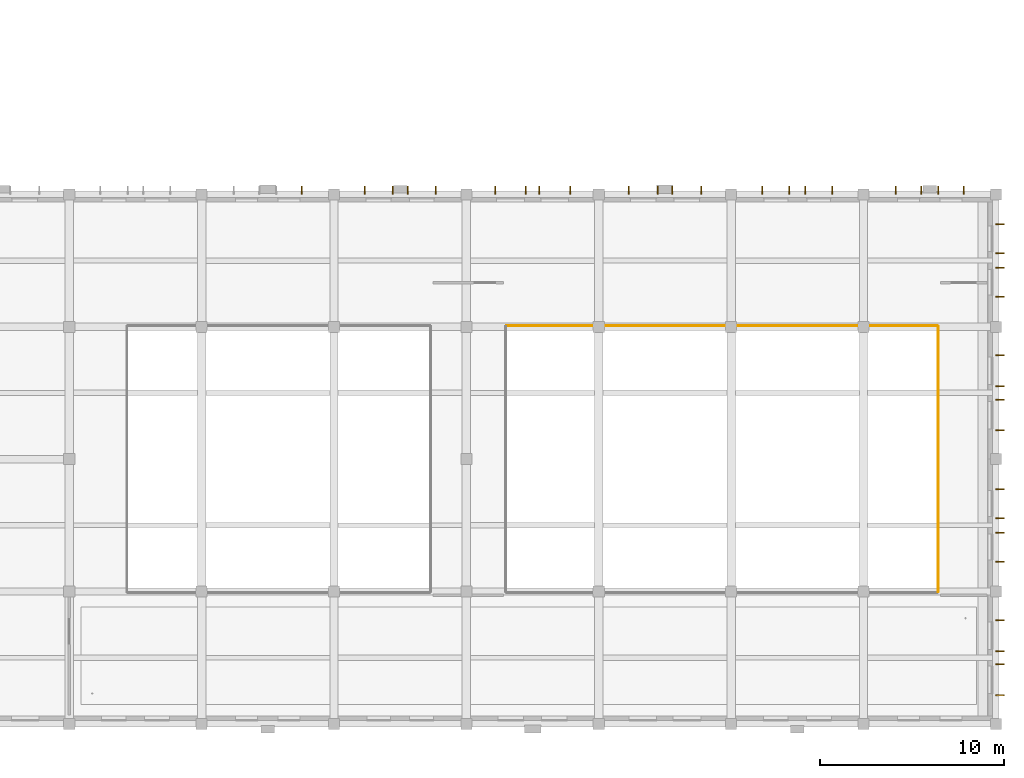
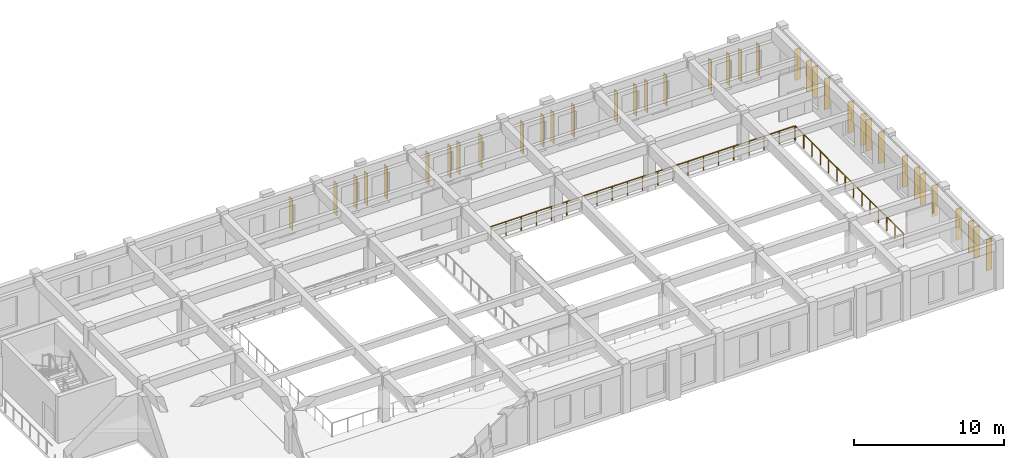
# One storey, part 79 of 88: 37 coverings, 2 railings.
"""IFC4 building model written with IfcOpenShell, lengths in metres."""

from ifc_helpers import new_model, si_unit, direction, frame, origin, origin_2d, place, context, subcontext, project, spatial, polyline, circle, outline, extrude, material, layer, layer_set, type_object, element, save


model = new_model("IFC4")

# Units and contexts
model_context = context("Model", 3, precision=1e-05, world=origin(), true_north=direction((0.0, 1.0)))
body_context = subcontext(model_context, "Body", "Model", "MODEL_VIEW")
ifc_project = project(units=[si_unit("LENGTHUNIT", "METRE"), si_unit("AREAUNIT", "SQUARE_METRE"), si_unit("VOLUMEUNIT", "CUBIC_METRE"), si_unit("PLANEANGLEUNIT", "RADIAN"), si_unit("MASSUNIT", "GRAM", prefix="KILO")], contexts=[model_context])

# Site, building, storey
site_placement = place(None, origin())
site = spatial("IfcSite", under=ifc_project, at=site_placement, CompositionType="ELEMENT")
building_placement = place(site_placement, origin())
building = spatial("IfcBuilding", under=site, at=building_placement, Name="Alvorim Cloister Faculty of Sciences", CompositionType="ELEMENT")
storey_placement = place(building_placement, frame((0.0, 0.0, 4.5)))
storey = spatial("IfcBuildingStorey", under=building, at=storey_placement, Name="L01", CompositionType="ELEMENT", Elevation=4.5)

# Coverings
ifc_material_1 = material(Name="Anodised Aluminium Alloy 6063-T6", Category="aluminium")
ifc_layer = layer(ifc_material_1, 0.054931640625)
ifc_layer_set = layer_set([ifc_layer], Name="Anodised Aluminium Alloy 6063-T6")
covering_type = type_object("IfcCoveringType", Name="COV-SHD-FIN", PredefinedType="CLADDING", material=ifc_layer_set)
covering_placement = place(storey_placement, frame((127.840087890625, 28.800048828125, 0.389892578125), z_axis=(0.0, 0.0, 1.0), x_axis=(0.0, 1.0, 0.0)))
element("IfcCovering", 1, at=covering_placement, inside=storey, type_object=covering_type, Name="L01 Brise-Soleil Vertical Fin COV-FIN-00589", PredefinedType="CLADDING", context=body_context, shape_type="SweptSolid", body=[
    extrude(outline(polyline([(0.0, 0.0), (0.43994140625, 0.0), (0.43994140625, 2.510009765625), (0.0, 2.510009765625), (0.0, 0.0)])), frame((0.0, 0.02734375, 0.0), z_axis=(0.0, -1.0, 0.0), x_axis=(1.0, 0.0, 0.0)), (0.0, 0.0, 1.0), 0.054931640625),
])
for number, where, z_axis, x_axis, name in (
    (2, (131.260009765625, 28.800048828125, 0.389892578125), (0.0, 0.0, 1.0), (0.0, 1.0, 0.0), "L01 Brise-Soleil Vertical Fin COV-FIN-00590"),
    (3, (132.7900390625, 28.800048828125, 0.389892578125), (0.0, 0.0, 1.0), (0.0, 1.0, 0.0), "L01 Brise-Soleil Vertical Fin COV-FIN-00591"),
    (4, (133.610107421875, 28.800048828125, 0.389892578125), (0.0, 0.0, 1.0), (0.0, 1.0, 0.0), "L01 Brise-Soleil Vertical Fin COV-FIN-00592"),
    (5, (135.139892578125, 28.800048828125, 0.389892578125), (0.0, 0.0, 1.0), (0.0, 1.0, 0.0), "L01 Brise-Soleil Vertical Fin COV-FIN-00593"),
):
    element("IfcCovering", number, at=place(storey_placement, frame(where, z_axis=z_axis, x_axis=x_axis)), inside=storey, type_object=covering_type, Name=name, PredefinedType="CLADDING", context=body_context, shape_type="SweptSolid", body=[
        extrude(outline(polyline([(0.0, 0.0), (0.43994140625, 0.0), (0.43994140625, 2.610107421875), (0.0, 2.610107421875), (0.0, 0.0)])), frame((0.0, 0.02734375, 0.0), z_axis=(0.0, -1.0, 0.0), x_axis=(1.0, 0.0, 0.0)), (0.0, 0.0, 1.0), 0.054931640625),
    ])
for number, where, z_axis, x_axis, name in (
    (6, (138.360107421875, 28.800048828125, 0.389892578125), (0.0, 0.0, 1.0), (0.0, 1.0, 0.0), "L01 Brise-Soleil Vertical Fin COV-FIN-00594"),
    (7, (140.0400390625, 28.800048828125, 0.389892578125), (0.0, 0.0, 1.0), (0.0, 1.0, 0.0), "L01 Brise-Soleil Vertical Fin COV-FIN-00595"),
    (8, (140.760009765625, 28.800048828125, 0.389892578125), (0.0, 0.0, 1.0), (0.0, 1.0, 0.0), "L01 Brise-Soleil Vertical Fin COV-FIN-00596"),
    (9, (142.43994140625, 28.800048828125, 0.389892578125), (0.0, 0.0, 1.0), (0.0, 1.0, 0.0), "L01 Brise-Soleil Vertical Fin COV-FIN-00597"),
):
    element("IfcCovering", number, at=place(storey_placement, frame(where, z_axis=z_axis, x_axis=x_axis)), inside=storey, type_object=covering_type, Name=name, PredefinedType="CLADDING", context=body_context, shape_type="SweptSolid", body=[
        extrude(outline(polyline([(0.0, 0.0), (0.43994140625, 0.0), (0.43994140625, 2.56005859375), (0.0, 2.56005859375), (0.0, 0.0)])), frame((0.0, 0.02734375, 0.0), z_axis=(0.0, -1.0, 0.0), x_axis=(1.0, 0.0, 0.0)), (0.0, 0.0, 1.0), 0.054931640625),
    ])
for number, where, z_axis, x_axis, name in (
    (10, (145.626708984375, 28.800048828125, 0.389892578125), (0.0, 0.0, 1.0), (0.0, 1.0, 0.0), "L01 Brise-Soleil Vertical Fin COV-FIN-00598"),
    (11, (147.206787109375, 28.800048828125, 0.389892578125), (0.0, 0.0, 1.0), (0.0, 1.0, 0.0), "L01 Brise-Soleil Vertical Fin COV-FIN-00599"),
    (12, (147.993408203125, 28.800048828125, 0.389892578125), (0.0, 0.0, 1.0), (0.0, 1.0, 0.0), "L01 Brise-Soleil Vertical Fin COV-FIN-00600"),
    (13, (149.5732421875, 28.800048828125, 0.389892578125), (0.0, 0.0, 1.0), (0.0, 1.0, 0.0), "L01 Brise-Soleil Vertical Fin COV-FIN-00601"),
):
    element("IfcCovering", number, at=place(storey_placement, frame(where, z_axis=z_axis, x_axis=x_axis)), inside=storey, type_object=covering_type, Name=name, PredefinedType="CLADDING", context=body_context, shape_type="SweptSolid", body=[
        extrude(outline(polyline([(0.0, 0.0), (0.43994140625, 0.0), (0.43994140625, 2.5400390625), (0.0, 2.5400390625), (0.0, 0.0)])), frame((0.0, 0.02734375, 0.0), z_axis=(0.0, -1.0, 0.0), x_axis=(1.0, 0.0, 0.0)), (0.0, 0.0, 1.0), 0.054931640625),
    ])
for number, where, z_axis, x_axis, name in (
    (14, (152.893310546875, 28.800048828125, 0.389892578125), (0.0, 0.0, 1.0), (0.0, 1.0, 0.0), "L01 Brise-Soleil Vertical Fin COV-FIN-00602"),
    (15, (154.373291015625, 28.800048828125, 0.389892578125), (0.0, 0.0, 1.0), (0.0, 1.0, 0.0), "L01 Brise-Soleil Vertical Fin COV-FIN-00603"),
    (16, (155.226806640625, 28.800048828125, 0.389892578125), (0.0, 0.0, 1.0), (0.0, 1.0, 0.0), "L01 Brise-Soleil Vertical Fin COV-FIN-00604"),
    (17, (156.706787109375, 28.800048828125, 0.389892578125), (0.0, 0.0, 1.0), (0.0, 1.0, 0.0), "L01 Brise-Soleil Vertical Fin COV-FIN-00605"),
    (18, (160.159912109375, 28.800048828125, 0.389892578125), (0.0, 0.0, 1.0), (0.0, 1.0, 0.0), "L01 Brise-Soleil Vertical Fin COV-FIN-00606"),
    (19, (161.5400390625, 28.800048828125, 0.389892578125), (0.0, 0.0, 1.0), (0.0, 1.0, 0.0), "L01 Brise-Soleil Vertical Fin COV-FIN-00607"),
    (20, (162.4599609375, 28.800048828125, 0.389892578125), (0.0, 0.0, 1.0), (0.0, 1.0, 0.0), "L01 Brise-Soleil Vertical Fin COV-FIN-00608"),
    (21, (163.840087890625, 28.800048828125, 0.389892578125), (0.0, 0.0, 1.0), (0.0, 1.0, 0.0), "L01 Brise-Soleil Vertical Fin COV-FIN-00609"),
):
    element("IfcCovering", number, at=place(storey_placement, frame(where, z_axis=z_axis, x_axis=x_axis)), inside=storey, type_object=covering_type, Name=name, PredefinedType="CLADDING", context=body_context, shape_type="SweptSolid", body=[
        extrude(outline(polyline([(0.0, 0.0), (0.43994140625, 0.0), (0.43994140625, 2.510009765625), (0.0, 2.510009765625), (0.0, 0.0)])), frame((0.0, 0.02734375, 0.0), z_axis=(0.0, -1.0, 0.0), x_axis=(1.0, 0.0, 0.0)), (0.0, 0.0, 1.0), 0.054931640625),
    ])
for number, where, z_axis, x_axis, name in (
    (22, (165.60009765625, 23.226806640625, 0.389892578125), (0.0, 0.0, 1.0), (1.0, 0.0, 0.0), "L01 Brise-Soleil Vertical Fin COV-FIN-00610"),
    (23, (165.60009765625, 24.806640625, 0.389892578125), (0.0, 0.0, 1.0), (1.0, 0.0, 0.0), "L01 Brise-Soleil Vertical Fin COV-FIN-00611"),
    (24, (165.60009765625, 25.59326171875, 0.389892578125), (0.0, 0.0, 1.0), (1.0, 0.0, 0.0), "L01 Brise-Soleil Vertical Fin COV-FIN-00612"),
    (25, (165.60009765625, 27.17333984375, 0.389892578125), (0.0, 0.0, 1.0), (1.0, 0.0, 0.0), "L01 Brise-Soleil Vertical Fin COV-FIN-00613"),
):
    element("IfcCovering", number, at=place(storey_placement, frame(where, z_axis=z_axis, x_axis=x_axis)), inside=storey, type_object=covering_type, Name=name, PredefinedType="CLADDING", context=body_context, shape_type="SweptSolid", body=[
        extrude(outline(polyline([(0.0, 0.0), (0.43994140625, 0.0), (0.43994140625, 2.5400390625), (0.0, 2.5400390625), (0.0, 0.0)])), frame((0.0, 0.02734375, 0.0), z_axis=(0.0, -1.0, 0.0), x_axis=(1.0, 0.0, 0.0)), (0.0, 0.0, 1.0), 0.054931640625),
    ])
for number, where, z_axis, x_axis, name in (
    (26, (165.60009765625, 15.9599609375, 0.389892578125), (0.0, 0.0, 1.0), (1.0, 0.0, 0.0), "L01 Brise-Soleil Vertical Fin COV-FIN-00614"),
    (27, (165.60009765625, 17.639892578125, 0.389892578125), (0.0, 0.0, 1.0), (1.0, 0.0, 0.0), "L01 Brise-Soleil Vertical Fin COV-FIN-00615"),
    (28, (165.60009765625, 18.360107421875, 0.389892578125), (0.0, 0.0, 1.0), (1.0, 0.0, 0.0), "L01 Brise-Soleil Vertical Fin COV-FIN-00616"),
    (29, (165.60009765625, 20.0400390625, 0.389892578125), (0.0, 0.0, 1.0), (1.0, 0.0, 0.0), "L01 Brise-Soleil Vertical Fin COV-FIN-00617"),
):
    element("IfcCovering", number, at=place(storey_placement, frame(where, z_axis=z_axis, x_axis=x_axis)), inside=storey, type_object=covering_type, Name=name, PredefinedType="CLADDING", context=body_context, shape_type="SweptSolid", body=[
        extrude(outline(polyline([(0.0, 0.0), (0.43994140625, 0.0), (0.43994140625, 2.56005859375), (0.0, 2.56005859375), (0.0, 0.0)])), frame((0.0, 0.02734375, 0.0), z_axis=(0.0, -1.0, 0.0), x_axis=(1.0, 0.0, 0.0)), (0.0, 0.0, 1.0), 0.054931640625),
    ])
for number, where, z_axis, x_axis, name in (
    (30, (165.60009765625, 8.82666015625, 0.389892578125), (0.0, 0.0, 1.0), (1.0, 0.0, 0.0), "L01 Brise-Soleil Vertical Fin COV-FIN-00618"),
    (31, (165.60009765625, 10.40673828125, 0.389892578125), (0.0, 0.0, 1.0), (1.0, 0.0, 0.0), "L01 Brise-Soleil Vertical Fin COV-FIN-00619"),
    (32, (165.60009765625, 11.193359375, 0.389892578125), (0.0, 0.0, 1.0), (1.0, 0.0, 0.0), "L01 Brise-Soleil Vertical Fin COV-FIN-00620"),
    (33, (165.60009765625, 12.773193359375, 0.389892578125), (0.0, 0.0, 1.0), (1.0, 0.0, 0.0), "L01 Brise-Soleil Vertical Fin COV-FIN-00621"),
):
    element("IfcCovering", number, at=place(storey_placement, frame(where, z_axis=z_axis, x_axis=x_axis)), inside=storey, type_object=covering_type, Name=name, PredefinedType="CLADDING", context=body_context, shape_type="SweptSolid", body=[
        extrude(outline(polyline([(0.0, 0.0), (0.43994140625, 0.0), (0.43994140625, 2.5400390625), (0.0, 2.5400390625), (0.0, 0.0)])), frame((0.0, 0.02734375, 0.0), z_axis=(0.0, -1.0, 0.0), x_axis=(1.0, 0.0, 0.0)), (0.0, 0.0, 1.0), 0.054931640625),
    ])
for number, where, z_axis, x_axis, name in (
    (34, (165.60009765625, 1.56005859375, 0.389892578125), (0.0, 0.0, 1.0), (1.0, 0.0, 0.0), "L01 Brise-Soleil Vertical Fin COV-FIN-00622"),
    (35, (165.60009765625, 3.239990234375, 0.389892578125), (0.0, 0.0, 1.0), (1.0, 0.0, 0.0), "L01 Brise-Soleil Vertical Fin COV-FIN-00623"),
    (36, (165.60009765625, 3.9599609375, 0.389892578125), (0.0, 0.0, 1.0), (1.0, 0.0, 0.0), "L01 Brise-Soleil Vertical Fin COV-FIN-00624"),
    (37, (165.60009765625, 5.639892578125, 0.389892578125), (0.0, 0.0, 1.0), (1.0, 0.0, 0.0), "L01 Brise-Soleil Vertical Fin COV-FIN-00625"),
):
    element("IfcCovering", number, at=place(storey_placement, frame(where, z_axis=z_axis, x_axis=x_axis)), inside=storey, type_object=covering_type, Name=name, PredefinedType="CLADDING", context=body_context, shape_type="SweptSolid", body=[
        extrude(outline(polyline([(0.0, 0.0), (0.43994140625, 0.0), (0.43994140625, 2.56005859375), (0.0, 2.56005859375), (0.0, 0.0)])), frame((0.0, 0.02734375, 0.0), z_axis=(0.0, -1.0, 0.0), x_axis=(1.0, 0.0, 0.0)), (0.0, 0.0, 1.0), 0.054931640625),
    ])

# Railings
ifc_material_2 = material(Name="Laminated Safety Glass and Bronze", Category="glass")
railing_type = type_object("IfcRailingType", Name="RL-ATR-BAL-1150", PredefinedType="BALUSTRADE", material=ifc_material_2)
railing_1_placement = place(storey_placement, frame((162.4599609375, 7.18994140625, 0.0)))
element("IfcRailing", 38, at=railing_1_placement, inside=storey, type_object=railing_type, Name="L01 Auditorium Gallery Balustrade 2.2", PredefinedType="BALUSTRADE", context=body_context, shape_type="SweptSolid", body=[
    extrude(circle(Radius=0.02392578125, at=origin_2d()), frame((0.0, 0.0, 1.1259765625), z_axis=(0.0, 1.0, 0.0), x_axis=(-1.0, 0.0, 0.0)), (0.0, 0.0, 1.0), 14.420166015625),
    extrude(circle(Radius=0.02099609375, at=origin_2d()), origin(), (0.0, 0.0, 1.0), 1.101806640625),
    extrude(circle(Radius=0.02099609375, at=origin_2d()), frame((0.0, 1.109130859375, 0.0)), (0.0, 0.0, 1.0), 1.101806640625),
    extrude(circle(Radius=0.02099609375, at=origin_2d()), frame((0.0, 2.218505859375, 0.0)), (0.0, 0.0, 1.0), 1.101806640625),
    extrude(circle(Radius=0.02099609375, at=origin_2d()), frame((0.0, 3.32763671875, 0.0)), (0.0, 0.0, 1.0), 1.101806640625),
    extrude(circle(Radius=0.02099609375, at=origin_2d()), frame((0.0, 4.43701171875, 0.0)), (0.0, 0.0, 1.0), 1.101806640625),
    extrude(circle(Radius=0.02099609375, at=origin_2d()), frame((0.0, 5.546142578125, 0.0)), (0.0, 0.0, 1.0), 1.101806640625),
    extrude(circle(Radius=0.02099609375, at=origin_2d()), frame((0.0, 6.655517578125, 0.0)), (0.0, 0.0, 1.0), 1.101806640625),
    extrude(circle(Radius=0.02099609375, at=origin_2d()), frame((0.0, 7.7646484375, 0.0)), (0.0, 0.0, 1.0), 1.101806640625),
    extrude(circle(Radius=0.02099609375, at=origin_2d()), frame((0.0, 8.8740234375, 0.0)), (0.0, 0.0, 1.0), 1.101806640625),
    extrude(circle(Radius=0.02099609375, at=origin_2d()), frame((0.0, 9.983154296875, 0.0)), (0.0, 0.0, 1.0), 1.101806640625),
    extrude(circle(Radius=0.02099609375, at=origin_2d()), frame((0.0, 11.092529296875, 0.0)), (0.0, 0.0, 1.0), 1.101806640625),
    extrude(circle(Radius=0.02099609375, at=origin_2d()), frame((0.0, 12.20166015625, 0.0)), (0.0, 0.0, 1.0), 1.101806640625),
    extrude(circle(Radius=0.02099609375, at=origin_2d()), frame((0.0, 13.31103515625, 0.0)), (0.0, 0.0, 1.0), 1.101806640625),
    extrude(circle(Radius=0.02099609375, at=origin_2d()), frame((0.0, 14.420166015625, 0.0)), (0.0, 0.0, 1.0), 1.101806640625),
])
railing_2_placement = place(storey_placement, frame((162.409912109375, 21.659912109375, 0.0)))
element("IfcRailing", 39, at=railing_2_placement, inside=storey, type_object=railing_type, Name="L01 Auditorium Gallery Balustrade 2.3", PredefinedType="BALUSTRADE", context=body_context, shape_type="SweptSolid", body=[
    extrude(circle(Radius=0.02392578125, at=origin_2d()), frame((0.0, 0.0, 1.1259765625), z_axis=(-1.0, 0.0, 0.0), x_axis=(0.0, -1.0, 0.0)), (0.0, 0.0, 1.0), 23.419921875),
    extrude(circle(Radius=0.02099609375, at=origin_2d()), origin(), (0.0, 0.0, 1.0), 1.101806640625),
    extrude(circle(Radius=0.02099609375, at=origin_2d()), frame((-1.1708984375, 0.0, 0.0)), (0.0, 0.0, 1.0), 1.101806640625),
    extrude(circle(Radius=0.02099609375, at=origin_2d()), frame((-2.342041015625, 0.0, 0.0)), (0.0, 0.0, 1.0), 1.101806640625),
    extrude(circle(Radius=0.02099609375, at=origin_2d()), frame((-3.512939453125, 0.0, 0.0)), (0.0, 0.0, 1.0), 1.101806640625),
    extrude(circle(Radius=0.02099609375, at=origin_2d()), frame((-4.68408203125, 0.0, 0.0)), (0.0, 0.0, 1.0), 1.101806640625),
    extrude(circle(Radius=0.02099609375, at=origin_2d()), frame((-5.85498046875, 0.0, 0.0)), (0.0, 0.0, 1.0), 1.101806640625),
    extrude(circle(Radius=0.02099609375, at=origin_2d()), frame((-7.02587890625, 0.0, 0.0)), (0.0, 0.0, 1.0), 1.101806640625),
    extrude(circle(Radius=0.02099609375, at=origin_2d()), frame((-8.197021484375, 0.0, 0.0)), (0.0, 0.0, 1.0), 1.101806640625),
    extrude(circle(Radius=0.02099609375, at=origin_2d()), frame((-9.367919921875, 0.0, 0.0)), (0.0, 0.0, 1.0), 1.101806640625),
    extrude(circle(Radius=0.02099609375, at=origin_2d()), frame((-10.5390625, 0.0, 0.0)), (0.0, 0.0, 1.0), 1.101806640625),
    extrude(circle(Radius=0.02099609375, at=origin_2d()), frame((-11.7099609375, 0.0, 0.0)), (0.0, 0.0, 1.0), 1.101806640625),
    extrude(circle(Radius=0.02099609375, at=origin_2d()), frame((-12.880859375, 0.0, 0.0)), (0.0, 0.0, 1.0), 1.101806640625),
    extrude(circle(Radius=0.02099609375, at=origin_2d()), frame((-14.052001953125, 0.0, 0.0)), (0.0, 0.0, 1.0), 1.101806640625),
    extrude(circle(Radius=0.02099609375, at=origin_2d()), frame((-15.222900390625, 0.0, 0.0)), (0.0, 0.0, 1.0), 1.101806640625),
    extrude(circle(Radius=0.02099609375, at=origin_2d()), frame((-16.39404296875, 0.0, 0.0)), (0.0, 0.0, 1.0), 1.101806640625),
    extrude(circle(Radius=0.02099609375, at=origin_2d()), frame((-17.56494140625, 0.0, 0.0)), (0.0, 0.0, 1.0), 1.101806640625),
    extrude(circle(Radius=0.02099609375, at=origin_2d()), frame((-18.73583984375, 0.0, 0.0)), (0.0, 0.0, 1.0), 1.101806640625),
    extrude(circle(Radius=0.02099609375, at=origin_2d()), frame((-19.906982421875, 0.0, 0.0)), (0.0, 0.0, 1.0), 1.101806640625),
    extrude(circle(Radius=0.02099609375, at=origin_2d()), frame((-21.077880859375, 0.0, 0.0)), (0.0, 0.0, 1.0), 1.101806640625),
    extrude(circle(Radius=0.02099609375, at=origin_2d()), frame((-22.2490234375, 0.0, 0.0)), (0.0, 0.0, 1.0), 1.101806640625),
    extrude(circle(Radius=0.02099609375, at=origin_2d()), frame((-23.419921875, 0.0, 0.0)), (0.0, 0.0, 1.0), 1.101806640625),
])

save(model, "model.ifc")
